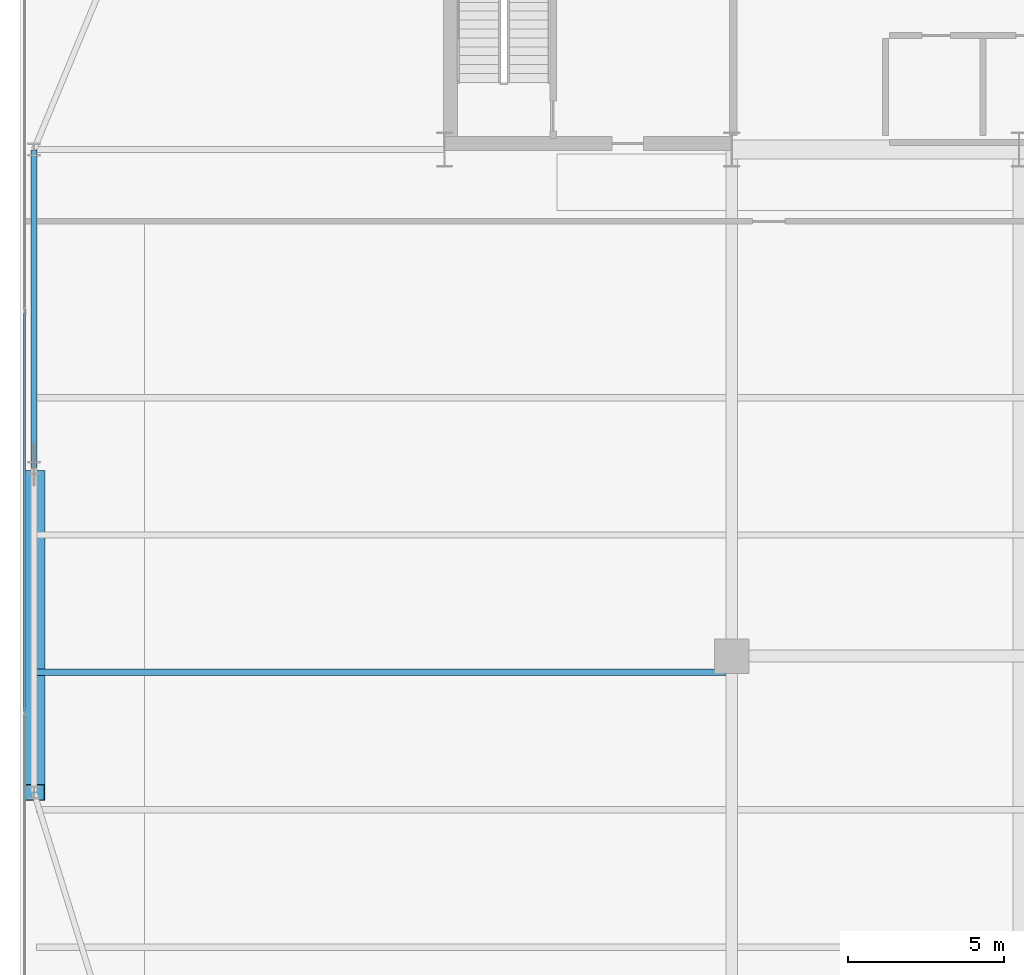
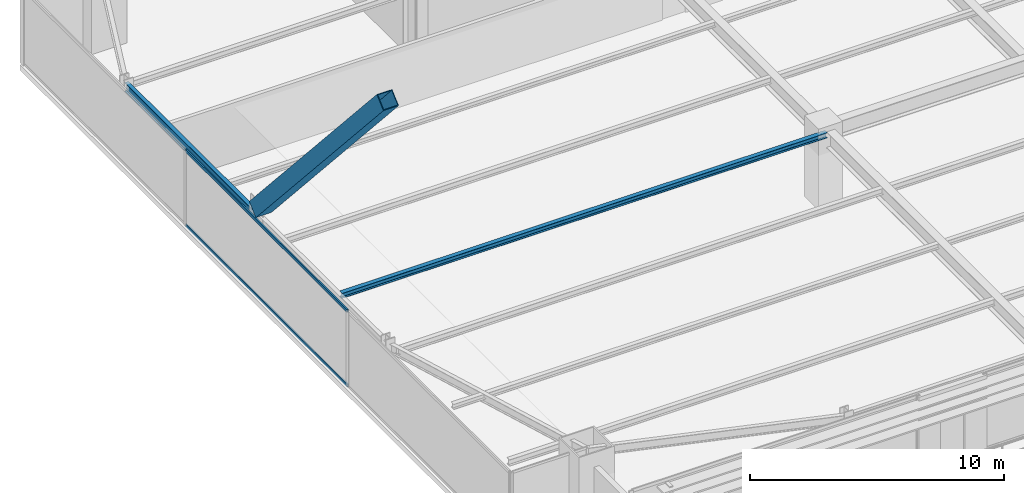
# One storey, part 10 of 35: 3 members, 2 beams, 1 element without a shape of its own.
"""IFC4 building model written with IfcOpenShell, lengths in metres."""

from ifc_helpers import new_model, si_unit, direction, frame, origin, origin_2d, place, context, subcontext, project, spatial, hollow_rectangle, i_section, extrude, source, transform, mapped, material, layer, layer_set, material_profile, profile_set, type_object, type_shapes, element, aggregate, save


model = new_model("IFC4")

# Units and contexts
model_context = context("Model", 3, precision=1e-05, world=origin(), true_north=direction((0.0, 1.0)))
body_context = subcontext(model_context, "Body", "Model", "MODEL_VIEW")
ifc_project = project(units=[si_unit("LENGTHUNIT", "METRE"), si_unit("AREAUNIT", "SQUARE_METRE"), si_unit("VOLUMEUNIT", "CUBIC_METRE"), si_unit("PLANEANGLEUNIT", "RADIAN"), si_unit("MASSUNIT", "GRAM", prefix="KILO")], contexts=[model_context])

# Site, building, storey
site_placement = place(None, origin())
site = spatial("IfcSite", under=ifc_project, at=site_placement, CompositionType="ELEMENT")
building_placement = place(site_placement, origin())
building = spatial("IfcBuilding", under=site, at=building_placement, Name="Varnel Quay Broadcast Tower", CompositionType="ELEMENT")
storey_placement = place(building_placement, frame((0.0, 0.0, 66.60009765625)))
storey = spatial("IfcBuildingStorey", under=building, at=storey_placement, Name="L15", CompositionType="ELEMENT", Elevation=66.60009765625)

# Beams
ifc_material_1 = material(Name="Structural Steel CSA G40.21 350W", Category="steel")
ifc_material_profile_1 = material_profile(ifc_material_1, i_section(OverallWidth=0.180908203125, OverallDepth=0.4169921875, WebThickness=0.010986328125, FlangeThickness=0.018310546875, FilletRadius=0.011962890625, at=origin_2d()), Name="W410X85")
ifc_profile_set_1 = profile_set([ifc_material_profile_1], Name="Structural Steel CSA G40.21 350W")
beam_type_1 = type_object("IfcBeamType", Name="Beam_W410X85", PredefinedType="SPANDREL", material=ifc_profile_set_1)
shared_shape_1 = source(origin(), body_context, "Body", "SweptSolid", [
    extrude(i_section(OverallWidth=0.180908203125, OverallDepth=0.4169921875, WebThickness=0.010986328125, FlangeThickness=0.018310546875, FilletRadius=0.011962890625, at=origin_2d()), origin(), (0.0, 0.0, 1.0), 10.16015625),
])
type_shapes(beam_type_1, [shared_shape_1])
beam_1_placement = place(storey_placement, frame((2.449951171875, 25.419921875, 3.44140625), z_axis=(0.0, 1.0, 0.0), x_axis=(-1.0, 0.0, 0.0)))
element("IfcBeam", 1, at=beam_1_placement, inside=storey, type_object=beam_type_1, Name="L15 West Spandrel TC-W2-TC-W3", PredefinedType="SPANDREL", context=body_context, shape_type="MappedRepresentation", body=[
    mapped(shared_shape_1, transform((0.0, 0.0, 0.0), x_axis=(1.0, 0.0, 0.0), y_axis=(0.0, 1.0, 0.0), z_axis=(0.0, 0.0, 1.0), scale=1.0)),
])
ifc_material_profile_2 = material_profile(ifc_material_1, i_section(OverallWidth=0.201904296875, OverallDepth=0.2470703125, WebThickness=0.00732421875, FlangeThickness=0.010986328125, FilletRadius=0.010986328125, at=origin_2d()), Name="W250X49")
ifc_profile_set_2 = profile_set([ifc_material_profile_2], Name="Structural Steel CSA G40.21 350W")
beam_type_2 = type_object("IfcBeamType", Name="Beam_W250X49", PredefinedType="JOIST", material=ifc_profile_set_2)
shared_shape_2 = source(origin(), body_context, "Body", "SweptSolid", [
    extrude(i_section(OverallWidth=0.201904296875, OverallDepth=0.2470703125, WebThickness=0.00732421875, FlangeThickness=0.010986328125, FilletRadius=0.010986328125, at=origin_2d()), origin(), (0.0, 0.0, 1.0), 22.0791015625),
])
type_shapes(beam_type_2, [shared_shape_2])
beam_2_placement = place(storey_placement, frame((2.535400390625, 18.85009765625, 3.5263671875), z_axis=(1.0, 0.0, 0.0), x_axis=(0.0, 1.0, 0.0)))
element("IfcBeam", 2, at=beam_2_placement, inside=storey, type_object=beam_type_2, Name="L15 West Floor Joist 4", PredefinedType="JOIST", context=body_context, shape_type="MappedRepresentation", body=[
    mapped(shared_shape_2, transform((0.0, 0.0, 0.0), x_axis=(1.0, 0.0, 0.0), y_axis=(0.0, 1.0, 0.0), z_axis=(0.0, 0.0, 1.0), scale=1.0)),
])

# Member
ifc_material_2 = material(Name="Structural Steel CSA G40.21 350WT", Category="steel")
ifc_material_profile_3 = material_profile(ifc_material_2, hollow_rectangle(XDim=0.699951171875, YDim=0.699951171875, WallThickness=0.031982421875, at=origin_2d()), Name="BOX700X700X32")
ifc_profile_set_3 = profile_set([ifc_material_profile_3], Name="Structural Steel CSA G40.21 350WT")
member_type_1 = type_object("IfcMemberType", Name="Brace_BOX700X700X32", PredefinedType="BRACE", material=ifc_profile_set_3)
shared_shape_3 = source(origin(), body_context, "Body", "SweptSolid", [
    extrude(hollow_rectangle(XDim=0.699951171875, YDim=0.699951171875, WallThickness=0.031982421875, at=origin_2d()), origin(), (0.0, 0.0, 1.0), 15.076171875),
])
type_shapes(member_type_1, [shared_shape_3])
member_1_placement = place(storey_placement, frame((2.449951171875, 25.048583984375, 4.02099609375), z_axis=(0.0, -0.666523107086, 0.745484371212), x_axis=(1.0, 0.0, 0.0)))
element("IfcMember", 3, at=member_1_placement, inside=storey, type_object=member_type_1, Name="Zone 1 Mega-Brace W-FT3 Split Diag B2", PredefinedType="BRACE", context=body_context, shape_type="MappedRepresentation", body=[
    mapped(shared_shape_3, transform((0.0, 0.0, 0.0), x_axis=(1.0, 0.0, 0.0), y_axis=(0.0, 1.0, 0.0), z_axis=(0.0, 0.0, 1.0), scale=1.0)),
])

# Curtain wall, members
ifc_material_3 = material(Name="Anodised Bronze Aluminium 6063-T6", Category="aluminium")
ifc_layer = layer(ifc_material_3, 0.18994140625, Name="Anodised Bronze Aluminium 6063-T6")
ifc_layer_set = layer_set([ifc_layer], Name="Anodised Bronze Aluminium 6063-T6")
curtain_wall_type = type_object("IfcCurtainWallType", Name="CW_LowerTower", PredefinedType="NOTDEFINED", material=ifc_layer_set)
curtain_wall_placement = place(storey_placement, origin())
curtain_wall = element("IfcCurtainWall", 4, at=curtain_wall_placement, inside=storey, type_object=curtain_wall_type, Name="L15 West Unitised Curtain Wall", PredefinedType="NOTDEFINED")
ifc_material_profile_4 = material_profile(ifc_material_3, hollow_rectangle(XDim=0.06005859375, YDim=0.14501953125, WallThickness=0.00341796875, at=origin_2d()), Name="ALU60X145X3.5")
ifc_profile_set_4 = profile_set([ifc_material_profile_4], Name="Anodised Bronze Aluminium 6063-T6")
member_type_2 = type_object("IfcMemberType", Name="Tran_CWS-02", PredefinedType="USERDEFINED", material=ifc_profile_set_4)
shared_shape_4 = source(origin(), body_context, "Body", "SweptSolid", [
    extrude(hollow_rectangle(XDim=0.06005859375, YDim=0.14501953125, WallThickness=0.00341796875, at=origin_2d()), origin(), (0.0, 0.0, 1.0), 12.72998046875),
])
type_shapes(member_type_2, [shared_shape_4])
member_2_placement = place(storey_placement, frame((2.14990234375, 17.635009765625, 0.02978515625), z_axis=(0.0, 1.0, 0.0), x_axis=(-1.0, 0.0, 0.0)))
member_2 = element("IfcMember", 5, at=member_2_placement, type_object=member_type_2, Name="CWS-02 transom 2.1", ObjectType="TRANSOM", PredefinedType="USERDEFINED", context=body_context, shape_type="MappedRepresentation", body=[
    mapped(shared_shape_4, transform((0.0, 0.0, 0.0), x_axis=(1.0, 0.0, 0.0), y_axis=(0.0, 1.0, 0.0), z_axis=(0.0, 0.0, 1.0), scale=1.0)),
])
member_3_placement = place(storey_placement, frame((2.14990234375, 17.635009765625, 3.619873046875), z_axis=(0.0, 1.0, 0.0), x_axis=(-1.0, 0.0, 0.0)))
member_3 = element("IfcMember", 6, at=member_3_placement, type_object=member_type_2, Name="CWS-02 transom 2.2", ObjectType="TRANSOM", PredefinedType="USERDEFINED", context=body_context, shape_type="MappedRepresentation", body=[
    mapped(shared_shape_4, transform((0.0, 0.0, 0.0), x_axis=(1.0, 0.0, 0.0), y_axis=(0.0, 1.0, 0.0), z_axis=(0.0, 0.0, 1.0), scale=1.0)),
])
aggregate(curtain_wall, [member_2, member_3])

save(model, "model.ifc")
